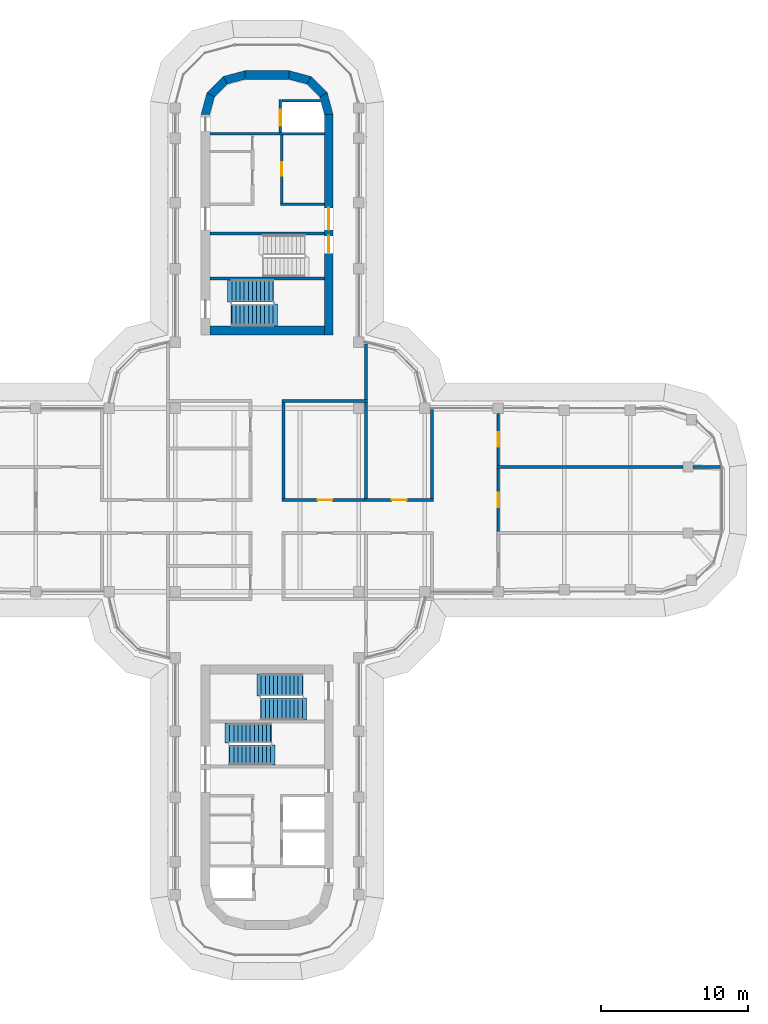
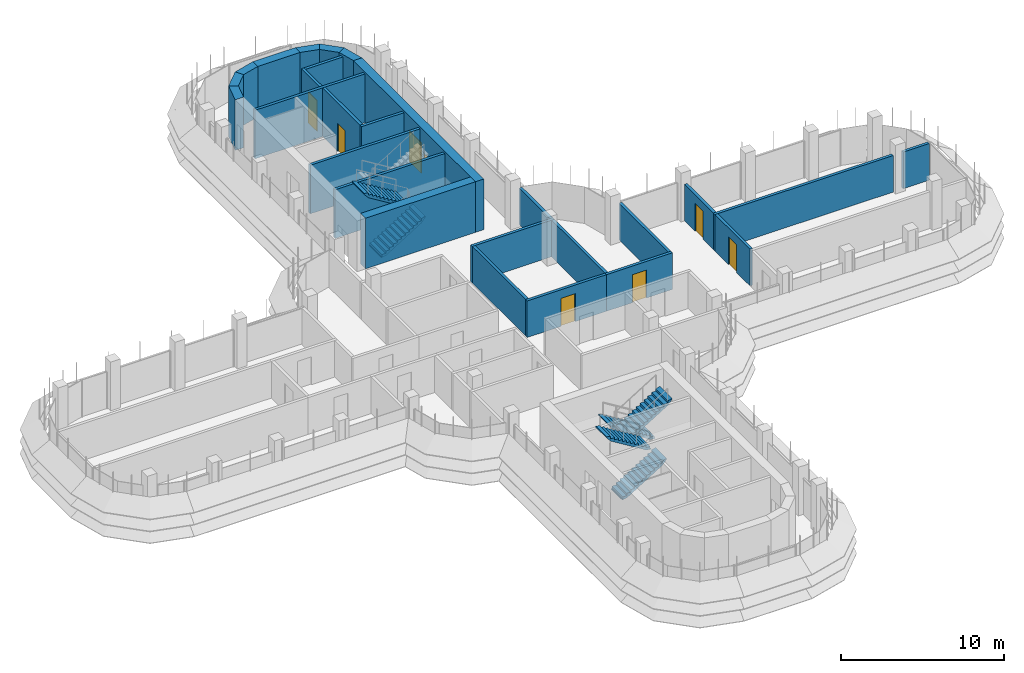
# One storey, part 15 of 19: 27 walls, 8 doors, 6 stair flights, 8 openings, 3 elements without a shape of their own.
"""IFC4 building model written with IfcOpenShell, lengths in metres."""

import ifcopenshell
import ifcopenshell.guid

model = None  # the IFC model being written
_history = None  # IfcOwnerHistory: only IFC2X3 demands one
_inside = {}  # id of a spatial element -> (the spatial element, [elements in it])
_under = {}  # id of a project, library or spatial element -> (it, [spatial elements below it])
_declared = {}  # id of a project -> (the project, [libraries it declares])
_typed = {}  # id of a type object -> (the type object, [elements of that type])
_made_of = {}  # id of a material, layer set ... -> (it, [elements and type objects made of it])


def new_model(schema):
    """Start an empty IFC model of exactly this schema.

    Asked for "IFC4X3", IfcOpenShell would pick the latest addendum, in which some entities
    have other attributes; the version numbers below select the first issue.
    IFC2X3 requires an IfcOwnerHistory on every rooted entity: one is made here for all.
    """
    global model, _history
    if schema == "IFC4X3":
        model = ifcopenshell.file(schema_version=(4, 3, 0, 0))
    else:
        model = ifcopenshell.file(schema=schema)
    _inside.clear()
    _under.clear()
    _declared.clear()
    _typed.clear()
    _made_of.clear()
    _history = None
    if model.schema == "IFC2X3":
        org = make("IfcOrganization", Name="unknown")
        user = make(
            "IfcPersonAndOrganization",
            ThePerson=make("IfcPerson", FamilyName="unknown"),
            TheOrganization=org,
        )
        app = make(
            "IfcApplication",
            ApplicationDeveloper=org,
            Version="unknown",
            ApplicationFullName="unknown",
            ApplicationIdentifier="unknown",
        )
        _history = make(
            "IfcOwnerHistory",
            OwningUser=user,
            OwningApplication=app,
            ChangeAction="ADDED",
            CreationDate=0,
        )
    return model


def make(cls, **values):
    """One entity of the class cls with the attributes given. An attribute that is None is left unset."""
    return model.create_entity(
        cls, **{name: value for name, value in values.items() if value is not None}
    )


def rooted(cls, **values):
    """An entity with a GlobalId (a new one), such as an element, a storey or a relation."""
    return make(cls, GlobalId=ifcopenshell.guid.new(), OwnerHistory=_history, **values)


def si_unit(unit_type, name, prefix=None):
    """IfcSIUnit, for example si_unit("LENGTHUNIT", "METRE", prefix="MILLI")."""
    return make("IfcSIUnit", UnitType=unit_type, Prefix=prefix, Name=name)


def assignment(units):
    """IfcUnitAssignment: the units of a project."""
    return None if units is None else make("IfcUnitAssignment", Units=units)


def point(xyz):
    """IfcCartesianPoint."""
    return None if xyz is None else make("IfcCartesianPoint", Coordinates=xyz)


def direction(xyz):
    """IfcDirection."""
    return None if xyz is None else make("IfcDirection", DirectionRatios=xyz)


def frame(location, z_axis=None, x_axis=None):
    """IfcAxis2Placement3D, a coordinate frame: its origin and axes. An axis left out is left unset."""
    return make(
        "IfcAxis2Placement3D",
        Location=point(location),
        Axis=direction(z_axis),
        RefDirection=direction(x_axis),
    )


def frame_2d(location, x_axis=None):
    """IfcAxis2Placement2D, a coordinate frame in the plane: its origin and x axis."""
    return make(
        "IfcAxis2Placement2D", Location=point(location), RefDirection=direction(x_axis)
    )


def origin():
    """The frame at (0, 0, 0) with its axes left unset."""
    return frame((0.0, 0.0, 0.0))


def place(relative_to, where):
    """IfcLocalPlacement: puts the frame where relative to a parent placement (None: the world)."""
    return make(
        "IfcLocalPlacement", PlacementRelTo=relative_to, RelativePlacement=where
    )


def context(
    kind, dimensions, precision=None, world=None, true_north=None, identifier=None
):
    """IfcGeometricRepresentationContext, for example the 3D "Model" context."""
    return make(
        "IfcGeometricRepresentationContext",
        ContextIdentifier=identifier,
        ContextType=kind,
        CoordinateSpaceDimension=dimensions,
        Precision=precision,
        WorldCoordinateSystem=world,
        TrueNorth=true_north,
    )


def subcontext(parent, identifier, kind, view, scale=None):
    """IfcGeometricRepresentationSubContext, for example "Body" below "Model"."""
    return make(
        "IfcGeometricRepresentationSubContext",
        ContextIdentifier=identifier,
        ContextType=kind,
        ParentContext=parent,
        TargetScale=scale,
        TargetView=view,
    )


def project(units=None, contexts=None):
    """IfcProject with its units and contexts."""
    return rooted(
        "IfcProject",
        Name="project",
        RepresentationContexts=contexts,
        UnitsInContext=assignment(units),
    )


def spatial(cls, under=None, at=None, **own):
    """A site, building, storey or space (cls), placed at a placement, below another one or the project."""
    s = rooted(cls, ObjectPlacement=at, **own)
    if under is not None:
        _under.setdefault(under.id(), (under, []))[1].append(s)
    return s


def polyline(points):
    """IfcPolyline through the points."""
    return make("IfcPolyline", Points=[point(p) for p in points])


def profile(cls, at=None, kind="AREA", **sizes):
    """A parametric profile (cls). Its sizes go by their IFC names, for example OverallWidth=200.0."""
    return make(cls, ProfileType=kind, Position=at, **sizes)


def rectangle(**sizes):
    """IfcRectangleProfileDef."""
    return profile("IfcRectangleProfileDef", **sizes)


def outline(outer, holes=None, kind="AREA"):
    """IfcArbitraryClosedProfileDef: a profile drawn as a closed curve; with holes, ...WithVoids."""
    if holes is None:
        return make("IfcArbitraryClosedProfileDef", ProfileType=kind, OuterCurve=outer)
    return make(
        "IfcArbitraryProfileDefWithVoids",
        ProfileType=kind,
        OuterCurve=outer,
        InnerCurves=holes,
    )


def extrude(swept, where, along, depth):
    """IfcExtrudedAreaSolid: the profile swept, set in the frame where, extruded along a direction by depth."""
    return make(
        "IfcExtrudedAreaSolid",
        SweptArea=swept,
        Position=where,
        ExtrudedDirection=direction(along),
        Depth=depth,
    )


def shape(context_of_items, identifier, shape_type, items):
    """IfcShapeRepresentation: the items that make up one representation, for example the "Body"."""
    return make(
        "IfcShapeRepresentation",
        ContextOfItems=context_of_items,
        RepresentationIdentifier=identifier,
        RepresentationType=shape_type,
        Items=items,
    )


def material(Name=None, Category=None):
    """IfcMaterial."""
    return make("IfcMaterial", Name=Name, Category=Category)


def layer(
    of_material, thickness, ventilated=None, Name=None, Category=None, Priority=None
):
    """IfcMaterialLayer: one layer of a wall or slab, of a material (None: an air gap)."""
    return make(
        "IfcMaterialLayer",
        Material=of_material,
        LayerThickness=thickness,
        IsVentilated=ventilated,
        Name=Name,
        Category=Category,
        Priority=Priority,
    )


def layer_set(layers, Name=None):
    """IfcMaterialLayerSet."""
    return make("IfcMaterialLayerSet", MaterialLayers=layers, LayerSetName=Name)


def made_of(thing, what):
    """Note that an element or type object is made of a material, layer set ...; save() writes the relation."""
    if what is not None:
        _made_of.setdefault(what.id(), (what, []))[1].append(thing)
    return thing


def type_object(cls, material=None, **own):
    """A type object (cls), such as IfcWallType, which elements share."""
    return made_of(rooted(cls, **own), material)


def element(
    cls,
    number,
    at=None,
    inside=None,
    cuts=None,
    type_object=None,
    material=None,
    context=None,
    identifier="Body",
    shape_type=None,
    held_by="IfcProductDefinitionShape",
    body=None,
    shapes=None,
    **own,
):
    """One element of the class cls, such as IfcWall. Its Tag is "e" and its number.

    at: its placement. inside: the storey or other place that contains it. cuts: it is an
    opening in that element (IfcRelVoidsElement). A single representation is given by context,
    identifier, shape_type and body (its items); several are given by shapes. held_by: the class
    of the entity that holds the representations. save() writes the other relations.
    """
    e = rooted(cls, Tag="e%d" % number, ObjectPlacement=at, **own)
    if body is not None:
        shapes = [shape(context, identifier, shape_type, body)]
    if shapes is not None:
        e.Representation = make(held_by, Representations=shapes)
    if inside is not None:
        _inside.setdefault(inside.id(), (inside, []))[1].append(e)
    if cuts is not None:
        rooted(
            "IfcRelVoidsElement", RelatingBuildingElement=cuts, RelatedOpeningElement=e
        )
    if type_object is not None:
        _typed.setdefault(type_object.id(), (type_object, []))[1].append(e)
    return made_of(e, material)


def fill(opening, filler):
    """IfcRelFillsElement: the door or window that sits in an opening."""
    return rooted(
        "IfcRelFillsElement",
        RelatingOpeningElement=opening,
        RelatedBuildingElement=filler,
    )


def aggregate(whole, parts):
    """IfcRelAggregates: a whole, such as a stair, and the parts it consists of."""
    return rooted("IfcRelAggregates", RelatingObject=whole, RelatedObjects=parts)


def save(model, path):
    """Write the relations noted so far, then the file.

    IfcRelAggregates (storeys below a building ...), IfcRelContainedInSpatialStructure (elements
    in a storey), IfcRelDefinesByType, IfcRelAssociatesMaterial and IfcRelDeclares: one each for
    every whole, place, type object, material and project.
    """
    for whole, parts in _under.values():
        aggregate(whole, parts)
    for where, things in _inside.values():
        rooted(
            "IfcRelContainedInSpatialStructure",
            RelatedElements=things,
            RelatingStructure=where,
        )
    for kind, things in _typed.values():
        rooted("IfcRelDefinesByType", RelatedObjects=things, RelatingType=kind)
    for what, things in _made_of.values():
        rooted("IfcRelAssociatesMaterial", RelatedObjects=things, RelatingMaterial=what)
    for by, libraries in _declared.values():
        rooted("IfcRelDeclares", RelatingContext=by, RelatedDefinitions=libraries)
    model.write(path)


model = new_model("IFC4")

# Units and contexts
model_context = context("Model", 3, precision=1e-05, world=origin(), true_north=direction((0.0, 1.0)))
body_context = subcontext(model_context, "Body", "Model", "MODEL_VIEW")
ifc_project = project(units=[si_unit("LENGTHUNIT", "METRE"), si_unit("AREAUNIT", "SQUARE_METRE"), si_unit("VOLUMEUNIT", "CUBIC_METRE"), si_unit("PLANEANGLEUNIT", "RADIAN"), si_unit("MASSUNIT", "GRAM", prefix="KILO")], contexts=[model_context])

# Site, building, storey
site_placement = place(None, origin())
site = spatial("IfcSite", under=ifc_project, at=site_placement, CompositionType="ELEMENT")
building_placement = place(site_placement, origin())
building = spatial("IfcBuilding", under=site, at=building_placement, Name="Zarbagh Exchange Tower", CompositionType="ELEMENT")
storey_placement = place(building_placement, frame((0.0, 0.0, 199.199951171875)))
storey = spatial("IfcBuildingStorey", under=building, at=storey_placement, Name="L48", CompositionType="ELEMENT", Elevation=199.199951171875)

# Wall, opening, door
ifc_material_1 = material(Name="Fire-rated plasterboard partition")
ifc_layer_1 = layer(ifc_material_1, 0.199951171875)
ifc_layer_set_1 = layer_set([ifc_layer_1], Name="RATED PARTITION 200")
wall_type_1 = type_object("IfcWallType", Name="RATED PARTITION 200", PredefinedType="PARTITIONING", material=ifc_layer_set_1)
wall_1_placement = place(storey_placement, frame((1.02490234375, 0.0, 0.0), z_axis=(0.0, 0.0, 1.0), x_axis=(1.0, 0.0, 0.0)))
wall_1 = element("IfcWall", 1, at=wall_1_placement, inside=storey, type_object=wall_type_1, Name="Partition W-2101", PredefinedType="PARTITIONING", context=body_context, shape_type="SweptSolid", body=[
    extrude(rectangle(XDim=5.8251953125, YDim=0.199951171875, at=frame_2d((2.91259765625, 0.0))), origin(), (0.0, 0.0, 1.0), 2.75),
])
opening_1_placement = place(wall_1_placement, frame((2.41259765625, 0.0, 0.0)))
opening_1 = element("IfcOpeningElement", 2, at=opening_1_placement, cuts=wall_1, Name="Opening D-2104", PredefinedType="OPENING", context=body_context, shape_type="SweptSolid", body=[
    extrude(rectangle(XDim=1.0, YDim=2.10009765625, at=frame_2d((0.5, 1.050048828125))), frame((0.0, 0.10986328125, 0.0), z_axis=(0.0, -1.0, 0.0), x_axis=(1.0, 0.0, 0.0)), (0.0, 0.0, 1.0), 0.219970703125),
])
ifc_material_2 = material(Name="Steel door set", Category="steel")
door_type_1 = type_object("IfcDoorType", Name="FIRE DOOR 1000 X 2100 FD30S", OperationType="NOTDEFINED", PredefinedType="DOOR", material=ifc_material_2)
door_1_placement = place(opening_1_placement, origin())
door_1 = element("IfcDoor", 3, at=door_1_placement, inside=storey, type_object=door_type_1, Name="Door D-2104", OperationType="SINGLE_SWING_RIGHT", OverallHeight=2.10009765625, OverallWidth=1.0, PredefinedType="DOOR", context=body_context, shape_type="SweptSolid", body=[
    extrude(rectangle(XDim=1.0, YDim=2.10009765625, at=frame_2d((0.5, 1.050048828125))), frame((0.0, 0.02490234375, 0.0), z_axis=(0.0, -1.0, 0.0), x_axis=(1.0, 0.0, 0.0)), (0.0, 0.0, 1.0), 0.050048828125),
])
fill(opening_1, door_1)

wall_2_placement = place(storey_placement, frame((6.64990234375, 0.0, 0.0), z_axis=(0.0, 0.0, 1.0), x_axis=(1.0, 0.0, 0.0)))
wall_2 = element("IfcWall", 4, at=wall_2_placement, inside=storey, type_object=wall_type_1, Name="Partition W-2102", PredefinedType="PARTITIONING", context=body_context, shape_type="SweptSolid", body=[
    extrude(rectangle(XDim=4.7001953125, YDim=0.199951171875, at=frame_2d((2.35009765625, 0.0))), origin(), (0.0, 0.0, 1.0), 2.75),
])
opening_2_placement = place(wall_2_placement, frame((1.85009765625, 0.0, 0.0)))
opening_2 = element("IfcOpeningElement", 5, at=opening_2_placement, cuts=wall_2, Name="Opening D-2105", PredefinedType="OPENING", context=body_context, shape_type="SweptSolid", body=[
    extrude(rectangle(XDim=1.0, YDim=2.10009765625, at=frame_2d((0.5, 1.050048828125))), frame((0.0, 0.10986328125, 0.0), z_axis=(0.0, -1.0, 0.0), x_axis=(1.0, 0.0, 0.0)), (0.0, 0.0, 1.0), 0.219970703125),
])
door_2_placement = place(opening_2_placement, origin())
door_2 = element("IfcDoor", 6, at=door_2_placement, inside=storey, type_object=door_type_1, Name="Door D-2105", OperationType="SINGLE_SWING_RIGHT", OverallHeight=2.10009765625, OverallWidth=1.0, PredefinedType="DOOR", context=body_context, shape_type="SweptSolid", body=[
    extrude(rectangle(XDim=1.0, YDim=2.10009765625, at=frame_2d((0.5, 1.050048828125))), frame((0.0, 0.02490234375, 0.0), z_axis=(0.0, -1.0, 0.0), x_axis=(1.0, 0.0, 0.0)), (0.0, 0.0, 1.0), 0.050048828125),
])
fill(opening_2, door_2)

# Walls
wall_3_placement = place(storey_placement, frame((1.125, 0.10009765625, 0.0), z_axis=(0.0, 0.0, 1.0), x_axis=(0.0, 1.0, 0.0)))
element("IfcWall", 7, at=wall_3_placement, inside=storey, type_object=wall_type_1, Name="Partition W-2109", PredefinedType="PARTITIONING", context=body_context, shape_type="SweptSolid", body=[
    extrude(rectangle(XDim=6.5498046875, YDim=0.199951171875, at=frame_2d((3.27490234375, 0.0))), origin(), (0.0, 0.0, 1.0), 2.75),
])
wall_4_placement = place(storey_placement, frame((1.02490234375, 6.75, 0.0), z_axis=(0.0, 0.0, 1.0), x_axis=(1.0, 0.0, 0.0)))
element("IfcWall", 8, at=wall_4_placement, inside=storey, type_object=wall_type_1, Name="Partition W-2115", PredefinedType="PARTITIONING", context=body_context, shape_type="SweptSolid", body=[
    extrude(rectangle(XDim=5.8251953125, YDim=0.199951171875, at=frame_2d((2.91259765625, 0.0))), origin(), (0.0, 0.0, 1.0), 2.75),
])
wall_5_placement = place(storey_placement, frame((6.75, 6.85009765625, 0.0), z_axis=(0.0, 0.0, 1.0), x_axis=(0.0, 1.0, 0.0)))
element("IfcWall", 9, at=wall_5_placement, inside=storey, type_object=wall_type_1, Name="Partition W-2116", PredefinedType="PARTITIONING", context=body_context, shape_type="SweptSolid", body=[
    extrude(rectangle(XDim=3.77978515625, YDim=0.199951171875, at=frame_2d((1.889892578125, 0.0))), origin(), (0.0, 0.0, 1.0), 2.75),
])
wall_6_placement = place(storey_placement, frame((6.75, 0.10009765625, 0.0), z_axis=(0.0, 0.0, 1.0), x_axis=(0.0, 1.0, 0.0)))
element("IfcWall", 10, at=wall_6_placement, inside=storey, type_object=wall_type_1, Name="Partition W-2123", PredefinedType="PARTITIONING", context=body_context, shape_type="SweptSolid", body=[
    extrude(rectangle(XDim=6.5498046875, YDim=0.199951171875, at=frame_2d((3.27490234375, 0.0))), origin(), (0.0, 0.0, 1.0), 2.75),
])
wall_7_placement = place(storey_placement, frame((11.25, 0.10009765625, 0.0), z_axis=(0.0, 0.0, 1.0), x_axis=(0.0, 1.0, 0.0)))
element("IfcWall", 11, at=wall_7_placement, inside=storey, type_object=wall_type_1, Name="Partition W-2124", PredefinedType="PARTITIONING", context=body_context, shape_type="SweptSolid", body=[
    extrude(rectangle(XDim=6.06982421875, YDim=0.199951171875, at=frame_2d((3.034912109375, 0.0))), origin(), (0.0, 0.0, 1.0), 2.75),
])

# Wall, opening, door
wall_8_placement = place(storey_placement, frame((15.75, 2.14990234375, 0.0), z_axis=(0.0, 0.0, 1.0), x_axis=(0.0, -1.0, 0.0)))
wall_8 = element("IfcWall", 12, at=wall_8_placement, inside=storey, type_object=wall_type_1, Name="Partition W-2138", PredefinedType="PARTITIONING", context=body_context, shape_type="SweptSolid", body=[
    extrude(rectangle(XDim=4.2998046875, YDim=0.199951171875, at=frame_2d((2.14990234375, 0.0))), origin(), (0.0, 0.0, 1.0), 2.75),
])
opening_3_placement = place(wall_8_placement, frame((1.64990234375, 0.0, 0.0)))
opening_3 = element("IfcOpeningElement", 13, at=opening_3_placement, cuts=wall_8, Name="Opening D-2102", PredefinedType="OPENING", context=body_context, shape_type="SweptSolid", body=[
    extrude(rectangle(XDim=1.0, YDim=2.10009765625, at=frame_2d((0.5, 1.050048828125))), frame((0.0, 0.10986328125, 0.0), z_axis=(0.0, -1.0, 0.0), x_axis=(1.0, 0.0, 0.0)), (0.0, 0.0, 1.0), 0.219970703125),
])
door_3_placement = place(opening_3_placement, origin())
door_3 = element("IfcDoor", 14, at=door_3_placement, inside=storey, type_object=door_type_1, Name="Door D-2102", OperationType="SINGLE_SWING_RIGHT", OverallHeight=2.10009765625, OverallWidth=1.0, PredefinedType="DOOR", context=body_context, shape_type="SweptSolid", body=[
    extrude(rectangle(XDim=1.0, YDim=2.10009765625, at=frame_2d((0.5, 1.050048828125))), frame((0.0, 0.02490234375, 0.0), z_axis=(0.0, -1.0, 0.0), x_axis=(1.0, 0.0, 0.0)), (0.0, 0.0, 1.0), 0.050048828125),
])
fill(opening_3, door_3)

wall_9_placement = place(storey_placement, frame((15.75, 5.89990234375, 0.0), z_axis=(0.0, 0.0, 1.0), x_axis=(0.0, -1.0, 0.0)))
wall_9 = element("IfcWall", 15, at=wall_9_placement, inside=storey, type_object=wall_type_1, Name="Partition W-2139", PredefinedType="PARTITIONING", context=body_context, shape_type="SweptSolid", body=[
    extrude(rectangle(XDim=3.5498046875, YDim=0.199951171875, at=frame_2d((1.77490234375, 0.0))), origin(), (0.0, 0.0, 1.0), 2.75),
])
opening_4_placement = place(wall_9_placement, frame((1.27490234375, 0.0, 0.0)))
opening_4 = element("IfcOpeningElement", 16, at=opening_4_placement, cuts=wall_9, Name="Opening D-2103", PredefinedType="OPENING", context=body_context, shape_type="SweptSolid", body=[
    extrude(rectangle(XDim=1.0, YDim=2.10009765625, at=frame_2d((0.5, 1.050048828125))), frame((0.0, 0.10986328125, 0.0), z_axis=(0.0, -1.0, 0.0), x_axis=(1.0, 0.0, 0.0)), (0.0, 0.0, 1.0), 0.219970703125),
])
door_4_placement = place(opening_4_placement, origin())
door_4 = element("IfcDoor", 17, at=door_4_placement, inside=storey, type_object=door_type_1, Name="Door D-2103", OperationType="SINGLE_SWING_RIGHT", OverallHeight=2.10009765625, OverallWidth=1.0, PredefinedType="DOOR", context=body_context, shape_type="SweptSolid", body=[
    extrude(rectangle(XDim=1.0, YDim=2.10009765625, at=frame_2d((0.5, 1.050048828125))), frame((0.0, 0.02490234375, 0.0), z_axis=(0.0, -1.0, 0.0), x_axis=(1.0, 0.0, 0.0)), (0.0, 0.0, 1.0), 0.050048828125),
])
fill(opening_4, door_4)

# Walls
wall_10_placement = place(storey_placement, frame((15.64990234375, 2.25, 0.0), z_axis=(0.0, 0.0, 1.0), x_axis=(1.0, 0.0, 0.0)))
element("IfcWall", 18, at=wall_10_placement, inside=storey, type_object=wall_type_1, Name="Partition W-2142", PredefinedType="PARTITIONING", context=body_context, shape_type="SweptSolid", body=[
    extrude(rectangle(XDim=12.670166015625, YDim=0.199951171875, at=frame_2d((6.3349609375, 0.0))), origin(), (0.0, 0.0, 1.0), 2.75),
])
wall_11_placement = place(storey_placement, frame((29.02001953125, 2.25, 0.0), z_axis=(0.0, 0.0, 1.0), x_axis=(1.0, 0.0, 0.0)))
element("IfcWall", 19, at=wall_11_placement, inside=storey, type_object=wall_type_1, Name="Partition W-2143", PredefinedType="PARTITIONING", context=body_context, shape_type="SweptSolid", body=[
    extrude(rectangle(XDim=1.85986328125, YDim=0.199951171875, at=frame_2d((0.929931640625, 0.0))), origin(), (0.0, 0.0, 1.0), 2.75),
])
ifc_material_3 = material(Name="Concrete C50/60", Category="concrete")
ifc_layer_2 = layer(ifc_material_3, 0.60009765625)
ifc_layer_set_2 = layer_set([ifc_layer_2], Name="RC core corner wall 600 C50/60")
wall_type_2 = type_object("IfcWallType", Name="RC core corner wall 600 C50/60", PredefinedType="SHEAR", material=ifc_layer_set_2)
wall_12_placement = place(storey_placement, origin())
element("IfcWall", 20, at=wall_12_placement, inside=storey, type_object=wall_type_2, Name="CW8 core N corner W", PredefinedType="SHEAR", context=body_context, shape_type="SweptSolid", body=[
    extrude(outline(polyline([(-4.5, 26.25), (-4.09814453125, 27.75), (-3.57861328125, 27.449951171875), (-3.89990234375, 26.25), (-4.5, 26.25)])), origin(), (0.0, 0.0, 1.0), 3.800048828125),
])
wall_13_placement = place(storey_placement, origin())
element("IfcWall", 21, at=wall_13_placement, inside=storey, type_object=wall_type_2, Name="CW8 core N corner W", PredefinedType="SHEAR", context=body_context, shape_type="SweptSolid", body=[
    extrude(outline(polyline([(-4.09814453125, 27.75), (-3.0, 28.84814453125), (-2.699951171875, 28.32861328125), (-3.57861328125, 27.449951171875), (-4.09814453125, 27.75)])), origin(), (0.0, 0.0, 1.0), 3.800048828125),
])
wall_14_placement = place(storey_placement, origin())
element("IfcWall", 22, at=wall_14_placement, inside=storey, type_object=wall_type_2, Name="CW8 core N corner W", PredefinedType="SHEAR", context=body_context, shape_type="SweptSolid", body=[
    extrude(outline(polyline([(-3.0, 28.84814453125), (-1.5, 29.25), (-1.5, 28.64990234375), (-2.699951171875, 28.32861328125), (-3.0, 28.84814453125)])), origin(), (0.0, 0.0, 1.0), 3.800048828125),
])
wall_15_placement = place(storey_placement, origin())
element("IfcWall", 23, at=wall_15_placement, inside=storey, type_object=wall_type_2, Name="CW8 core N corner E", PredefinedType="SHEAR", context=body_context, shape_type="SweptSolid", body=[
    extrude(outline(polyline([(4.5, 26.25), (4.09814453125, 27.75), (3.57861328125, 27.449951171875), (3.89990234375, 26.25), (4.5, 26.25)])), origin(), (0.0, 0.0, 1.0), 3.800048828125),
])
wall_16_placement = place(storey_placement, origin())
element("IfcWall", 24, at=wall_16_placement, inside=storey, type_object=wall_type_2, Name="CW8 core N corner E", PredefinedType="SHEAR", context=body_context, shape_type="SweptSolid", body=[
    extrude(outline(polyline([(4.09814453125, 27.75), (3.0, 28.84814453125), (2.699951171875, 28.32861328125), (3.57861328125, 27.449951171875), (4.09814453125, 27.75)])), origin(), (0.0, 0.0, 1.0), 3.800048828125),
])
wall_17_placement = place(storey_placement, origin())
element("IfcWall", 25, at=wall_17_placement, inside=storey, type_object=wall_type_2, Name="CW8 core N corner E", PredefinedType="SHEAR", context=body_context, shape_type="SweptSolid", body=[
    extrude(outline(polyline([(3.0, 28.84814453125), (1.5, 29.25), (1.5, 28.64990234375), (2.699951171875, 28.32861328125), (3.0, 28.84814453125)])), origin(), (0.0, 0.0, 1.0), 3.800048828125),
])

# Wall, openings, doors
ifc_layer_3 = layer(ifc_material_3, 0.60009765625)
ifc_layer_set_3 = layer_set([ifc_layer_3], Name="RC core wall 600 C50/60")
wall_type_3 = type_object("IfcWallType", Name="RC core wall 600 C50/60", PredefinedType="SHEAR", material=ifc_layer_set_3)
wall_18_placement = place(storey_placement, frame((4.199951171875, 11.25, 0.0), z_axis=(0.0, 0.0, 1.0), x_axis=(0.0, 1.0, 0.0)))
wall_18 = element("IfcWall", 26, at=wall_18_placement, inside=storey, type_object=wall_type_3, Name="CW7 core N E", PredefinedType="SHEAR", context=body_context, shape_type="SweptSolid", body=[
    extrude(rectangle(XDim=15.0, YDim=0.60009765625, at=frame_2d((7.5, 0.0))), origin(), (0.0, 0.0, 1.0), 3.800048828125),
])
opening_5_placement = place(wall_18_placement, frame((7.14990234375, 0.0, 0.0)))
opening_5 = element("IfcOpeningElement", 27, at=opening_5_placement, cuts=wall_18, Name="Opening CD1-1500", PredefinedType="OPENING", context=body_context, shape_type="SweptSolid", body=[
    extrude(rectangle(XDim=1.5, YDim=2.300048828125, at=frame_2d((0.75, 1.14990234375))), frame((0.0, 0.31005859375, 0.0), z_axis=(0.0, -1.0, 0.0), x_axis=(1.0, 0.0, 0.0)), (0.0, 0.0, 1.0), 0.6201171875),
])
opening_6_placement = place(wall_18_placement, frame((5.550048828125, 0.0, 0.0)))
opening_6 = element("IfcOpeningElement", 28, at=opening_6_placement, cuts=wall_18, Name="Opening SD1-1200", PredefinedType="OPENING", context=body_context, shape_type="SweptSolid", body=[
    extrude(rectangle(XDim=1.199951171875, YDim=2.10009765625, at=frame_2d((0.60009765625, 1.050048828125))), frame((0.0, 0.31005859375, 0.0), z_axis=(0.0, -1.0, 0.0), x_axis=(1.0, 0.0, 0.0)), (0.0, 0.0, 1.0), 0.6201171875),
])
ifc_material_4 = material(Name="Steel", Category="steel")
door_type_2 = type_object("IfcDoorType", Name="Exit stair door 1200 x 2100", OperationType="NOTDEFINED", PredefinedType="DOOR", material=ifc_material_4)
door_5_placement = place(opening_6_placement, origin())
door_5 = element("IfcDoor", 29, at=door_5_placement, inside=storey, type_object=door_type_2, Name="North core stair door ST1", OperationType="SINGLE_SWING_LEFT", OverallHeight=2.10009765625, OverallWidth=1.199951171875, PredefinedType="DOOR", context=body_context, shape_type="SweptSolid", body=[
    extrude(rectangle(XDim=1.199951171875, YDim=2.10009765625, at=frame_2d((0.60009765625, 1.050048828125))), frame((0.0, 0.02490234375, 0.0), z_axis=(0.0, -1.0, 0.0), x_axis=(1.0, 0.0, 0.0)), (0.0, 0.0, 1.0), 0.050048828125),
])
fill(opening_6, door_5)
door_type_3 = type_object("IfcDoorType", Name="Lift lobby double door 1500 x 2300", OperationType="NOTDEFINED", PredefinedType="DOOR", material=ifc_material_4)
door_6_placement = place(opening_5_placement, origin())
door_6 = element("IfcDoor", 30, at=door_6_placement, inside=storey, type_object=door_type_3, Name="North core lift lobby door LOBBY-E", OperationType="DOUBLE_DOOR_SINGLE_SWING", OverallHeight=2.300048828125, OverallWidth=1.5, PredefinedType="DOOR", context=body_context, shape_type="SweptSolid", body=[
    extrude(rectangle(XDim=1.5, YDim=2.300048828125, at=frame_2d((0.75, 1.14990234375))), frame((0.0, 0.02490234375, 0.0), z_axis=(0.0, -1.0, 0.0), x_axis=(1.0, 0.0, 0.0)), (0.0, 0.0, 1.0), 0.050048828125),
])
fill(opening_5, door_6)

# Walls
wall_19_placement = place(storey_placement, frame((-3.89990234375, 11.550048828125, 0.0), z_axis=(0.0, 0.0, 1.0), x_axis=(1.0, 0.0, 0.0)))
element("IfcWall", 31, at=wall_19_placement, inside=storey, type_object=wall_type_3, Name="CW7 core N inner end", PredefinedType="SHEAR", context=body_context, shape_type="SweptSolid", body=[
    extrude(rectangle(XDim=7.7998046875, YDim=0.60009765625, at=frame_2d((3.89990234375, 0.0))), origin(), (0.0, 0.0, 1.0), 3.800048828125),
])
wall_20_placement = place(storey_placement, frame((-1.5, 28.949951171875, 0.0), z_axis=(0.0, 0.0, 1.0), x_axis=(1.0, 0.0, 0.0)))
element("IfcWall", 32, at=wall_20_placement, inside=storey, type_object=wall_type_3, Name="CW7 core N outer end", PredefinedType="SHEAR", context=body_context, shape_type="SweptSolid", body=[
    extrude(rectangle(XDim=3.0, YDim=0.60009765625, at=frame_2d((1.5, 0.0))), origin(), (0.0, 0.0, 1.0), 3.800048828125),
])
ifc_material_5 = material(Name="Dense blockwork", Category="masonry")
ifc_layer_4 = layer(ifc_material_5, 0.199951171875)
ifc_layer_set_4 = layer_set([ifc_layer_4], Name="Shaft wall 200 mm blockwork")
wall_type_4 = type_object("IfcWallType", Name="Shaft wall 200 mm blockwork", PredefinedType="PARTITIONING", material=ifc_layer_set_4)
wall_21_placement = place(storey_placement, frame((0.89990234375, 20.14990234375, 0.0), z_axis=(0.0, 0.0, 1.0), x_axis=(1.0, 0.0, 0.0)))
element("IfcWall", 33, at=wall_21_placement, inside=storey, type_object=wall_type_4, Name="North core shaft wall AB-E", PredefinedType="PARTITIONING", context=body_context, shape_type="SweptSolid", body=[
    extrude(rectangle(XDim=3.0, YDim=0.199951171875, at=frame_2d((1.5, 0.0))), origin(), (0.0, 0.0, 1.0), 3.650146484375),
])

# Wall, opening, door
wall_22_placement = place(storey_placement, frame((1.0, 24.85009765625, 0.0), z_axis=(0.0, 0.0, 1.0), x_axis=(0.0, -1.0, 0.0)))
wall_22 = element("IfcWall", 34, at=wall_22_placement, inside=storey, type_object=wall_type_4, Name="North core shaft wall LW-E", PredefinedType="PARTITIONING", context=body_context, shape_type="SweptSolid", body=[
    extrude(rectangle(XDim=4.60009765625, YDim=0.199951171875, at=frame_2d((2.300048828125, 0.0))), origin(), (0.0, 0.0, 1.0), 3.650146484375),
])
opening_7_placement = place(wall_22_placement, frame((1.85009765625, 0.0, 0.0)))
opening_7 = element("IfcOpeningElement", 35, at=opening_7_placement, cuts=wall_22, Name="Opening CD3-900", PredefinedType="OPENING", context=body_context, shape_type="SweptSolid", body=[
    extrude(rectangle(XDim=0.89990234375, YDim=2.10009765625, at=frame_2d((0.449951171875, 1.050048828125))), frame((0.0, 0.10986328125, 0.0), z_axis=(0.0, -1.0, 0.0), x_axis=(1.0, 0.0, 0.0)), (0.0, 0.0, 1.0), 0.219970703125),
])
door_type_4 = type_object("IfcDoorType", Name="Core room door 900 x 2100", OperationType="NOTDEFINED", PredefinedType="DOOR", material=ifc_material_4)
door_7_placement = place(opening_7_placement, origin())
door_7 = element("IfcDoor", 36, at=door_7_placement, inside=storey, type_object=door_type_4, Name="North core Riser store door RD-E-0", OperationType="SINGLE_SWING_RIGHT", OverallHeight=2.10009765625, OverallWidth=0.89990234375, PredefinedType="DOOR", context=body_context, shape_type="SweptSolid", body=[
    extrude(rectangle(XDim=0.89990234375, YDim=2.10009765625, at=frame_2d((0.449951171875, 1.050048828125))), frame((0.0, 0.02490234375, 0.0), z_axis=(0.0, -1.0, 0.0), x_axis=(1.0, 0.0, 0.0)), (0.0, 0.0, 1.0), 0.050048828125),
])
fill(opening_7, door_7)

# Wall
ifc_material_6 = material(Name="Concrete C40/50", Category="concrete")
ifc_layer_5 = layer(ifc_material_6, 0.199951171875)
ifc_layer_set_5 = layer_set([ifc_layer_5], Name="Stair enclosure wall 200 mm RC C40/50")
wall_type_5 = type_object("IfcWallType", Name="Stair enclosure wall 200 mm RC C40/50", PredefinedType="SHEAR", material=ifc_layer_set_5)
wall_23_placement = place(storey_placement, frame((-3.89990234375, 24.949951171875, 0.0), z_axis=(0.0, 0.0, 1.0), x_axis=(1.0, 0.0, 0.0)))
element("IfcWall", 37, at=wall_23_placement, inside=storey, type_object=wall_type_5, Name="North core lift shaft wall FFA", PredefinedType="SHEAR", context=body_context, shape_type="SweptSolid", body=[
    extrude(rectangle(XDim=7.7998046875, YDim=0.199951171875, at=frame_2d((3.89990234375, 0.0))), origin(), (0.0, 0.0, 1.0), 3.650146484375),
])

# Wall, opening, door
wall_24_placement = place(storey_placement, frame((0.89990234375, 27.300048828125, 0.0), z_axis=(0.0, 0.0, 1.0), x_axis=(0.0, -1.0, 0.0)))
wall_24 = element("IfcWall", 38, at=wall_24_placement, inside=storey, type_object=wall_type_5, Name="North core lift shaft wall FFL", PredefinedType="SHEAR", context=body_context, shape_type="SweptSolid", body=[
    extrude(rectangle(XDim=2.25, YDim=0.199951171875, at=frame_2d((1.125, 0.0))), origin(), (0.0, 0.0, 1.0), 3.650146484375),
])
opening_8_placement = place(wall_24_placement, frame((0.699951171875, 0.0, 0.0)))
opening_8 = element("IfcOpeningElement", 39, at=opening_8_placement, cuts=wall_24, Name="Opening LD-1100", PredefinedType="OPENING", context=body_context, shape_type="SweptSolid", body=[
    extrude(rectangle(XDim=1.10009765625, YDim=2.300048828125, at=frame_2d((0.550048828125, 1.14990234375))), frame((0.0, 0.10986328125, 0.0), z_axis=(0.0, -1.0, 0.0), x_axis=(1.0, 0.0, 0.0)), (0.0, 0.0, 1.0), 0.219970703125),
])
ifc_material_7 = material(Name="Stainless steel", Category="steel")
door_type_5 = type_object("IfcDoorType", Name="Lift landing door 1100 x 2300", OperationType="NOTDEFINED", PredefinedType="DOOR", material=ifc_material_7)
door_8_placement = place(opening_8_placement, origin())
door_8 = element("IfcDoor", 40, at=door_8_placement, inside=storey, type_object=door_type_5, Name="North core lift landing door LD-F", OperationType="DOUBLE_DOOR_SLIDING", OverallHeight=2.300048828125, OverallWidth=1.10009765625, PredefinedType="DOOR", context=body_context, shape_type="SweptSolid", body=[
    extrude(rectangle(XDim=1.10009765625, YDim=2.300048828125, at=frame_2d((0.550048828125, 1.14990234375))), frame((0.0, 0.02490234375, 0.0), z_axis=(0.0, -1.0, 0.0), x_axis=(1.0, 0.0, 0.0)), (0.0, 0.0, 1.0), 0.050048828125),
])
fill(opening_8, door_8)

# Walls
wall_25_placement = place(storey_placement, origin())
element("IfcWall", 41, at=wall_25_placement, inside=storey, type_object=wall_type_5, Name="North core lift shaft wall FFX", PredefinedType="SHEAR", context=body_context, shape_type="SweptSolid", body=[
    extrude(outline(polyline([(1.0, 27.10009765625), (3.651123046875, 27.10009765625), (3.597412109375, 27.300048828125), (1.0, 27.300048828125), (1.0, 27.10009765625)])), origin(), (0.0, 0.0, 1.0), 3.650146484375),
])
for number, where, z_axis, x_axis, name in (
    (42, (-3.89990234375, 18.14990234375, 0.0), (0.0, 0.0, 1.0), (1.0, 0.0, 0.0), "North core stair wall BS"),
    (43, (-3.89990234375, 15.10009765625, 0.0), (0.0, 0.0, 1.0), (1.0, 0.0, 0.0), "North core stair wall ST12"),
):
    element("IfcWall", number, at=place(storey_placement, frame(where, z_axis=z_axis, x_axis=x_axis)), inside=storey, type_object=wall_type_5, Name=name, PredefinedType="SHEAR", context=body_context, shape_type="SweptSolid", body=[
        extrude(rectangle(XDim=7.7998046875, YDim=0.199951171875, at=frame_2d((3.89990234375, 0.0))), origin(), (0.0, 0.0, 1.0), 3.650146484375),
    ])

# Stair, stair flights
stair_type = type_object("IfcStairType", Name="Exit stair two-flight half-turn", PredefinedType="HALF_TURN_STAIR", material=ifc_material_6)
stair_1_placement = place(storey_placement, origin())
stair_1 = element("IfcStair", 44, at=stair_1_placement, inside=storey, type_object=stair_type, Name="exit stair ST3", PredefinedType="HALF_TURN_STAIR")
stair_flight_type_1 = type_object("IfcStairFlightType", Name="Stair flight 1350 mm", PredefinedType="STRAIGHT", material=ifc_material_6)
stair_flight_1_placement = place(storey_placement, frame((-2.550048828125, -17.375, 0.0), z_axis=(0.0, 0.0, 1.0), x_axis=(1.0, 0.0, 0.0)))
stair_flight_1 = element("IfcStairFlight", 45, at=stair_flight_1_placement, type_object=stair_flight_type_1, Name="ST3 flight 1", NumberOfRisers=11, NumberOfTreads=10, PredefinedType="STRAIGHT", RiserHeight=0.172727273, TreadLength=0.28, context=body_context, shape_type="SweptSolid", body=[
    extrude(outline(polyline([(-0.050048828125, -0.050048828125), (-0.050048828125, 0.0), (0.0, 0.0), (0.0, 0.172607421875), (0.280029296875, 0.172607421875), (0.280029296875, 0.345458984375), (0.56005859375, 0.345458984375), (0.56005859375, 0.51806640625), (0.840087890625, 0.51806640625), (0.840087890625, 0.69091796875), (1.1201171875, 0.69091796875), (1.1201171875, 0.863525390625), (1.39990234375, 0.863525390625), (1.39990234375, 1.036376953125), (1.679931640625, 1.036376953125), (1.679931640625, 1.208984375), (1.9599609375, 1.208984375), (1.9599609375, 1.3818359375), (2.239990234375, 1.3818359375), (2.239990234375, 1.554443359375), (2.52001953125, 1.554443359375), (2.52001953125, 1.727294921875), (2.800048828125, 1.727294921875), (2.800048828125, 1.89990234375), (3.10009765625, 1.97998046875), (3.10009765625, 1.89990234375), (2.800048828125, 1.551025390625), (0.285400390625, 0.0), (-0.050048828125, -0.050048828125)])), frame((0.0, 0.675048828125, 0.0), z_axis=(0.0, -1.0, 0.0), x_axis=(1.0, 0.0, 0.0)), (0.0, 0.0, 1.0), 1.35009765625),
])
stair_flight_2_placement = place(storey_placement, frame((0.25, -15.875, 1.900146484375), z_axis=(0.0, 0.0, 1.0), x_axis=(-1.0, 0.0, 0.0)))
stair_flight_2 = element("IfcStairFlight", 46, at=stair_flight_2_placement, type_object=stair_flight_type_1, Name="ST3 flight 2", NumberOfRisers=11, NumberOfTreads=10, PredefinedType="STRAIGHT", RiserHeight=0.172727273, TreadLength=0.28, context=body_context, shape_type="SweptSolid", body=[
    extrude(outline(polyline([(-0.050048828125, -0.050048828125), (-0.050048828125, 0.0), (0.0, 0.0), (0.0, 0.172607421875), (0.280029296875, 0.172607421875), (0.280029296875, 0.345458984375), (0.56005859375, 0.345458984375), (0.56005859375, 0.51806640625), (0.840087890625, 0.51806640625), (0.840087890625, 0.69091796875), (1.1201171875, 0.69091796875), (1.1201171875, 0.863525390625), (1.39990234375, 0.863525390625), (1.39990234375, 1.036376953125), (1.679931640625, 1.036376953125), (1.679931640625, 1.208984375), (1.9599609375, 1.208984375), (1.9599609375, 1.3818359375), (2.239990234375, 1.3818359375), (2.239990234375, 1.554443359375), (2.52001953125, 1.554443359375), (2.52001953125, 1.727294921875), (2.800048828125, 1.727294921875), (2.800048828125, 1.89990234375), (3.10009765625, 1.97998046875), (3.10009765625, 1.89990234375), (2.800048828125, 1.551025390625), (0.285400390625, 0.0), (-0.050048828125, -0.050048828125)])), frame((0.0, 0.675048828125, 0.0), z_axis=(0.0, -1.0, 0.0), x_axis=(1.0, 0.0, 0.0)), (0.0, 0.0, 1.0), 1.35009765625),
])
aggregate(stair_1, [stair_flight_1, stair_flight_2])

stair_2_placement = place(storey_placement, origin())
stair_2 = element("IfcStair", 47, at=stair_2_placement, inside=storey, type_object=stair_type, Name="exit stair ST2", PredefinedType="HALF_TURN_STAIR")
stair_flight_type_2 = type_object("IfcStairFlightType", Name="Stair flight 1500 mm", PredefinedType="STRAIGHT", material=ifc_material_6)
stair_flight_3_placement = place(storey_placement, frame((-2.39990234375, 12.60009765625, 0.0), z_axis=(0.0, 0.0, 1.0), x_axis=(1.0, 0.0, 0.0)))
stair_flight_3 = element("IfcStairFlight", 48, at=stair_flight_3_placement, type_object=stair_flight_type_2, Name="ST2 flight 1", NumberOfRisers=11, NumberOfTreads=10, PredefinedType="STRAIGHT", RiserHeight=0.172727273, TreadLength=0.28, context=body_context, shape_type="SweptSolid", body=[
    extrude(outline(polyline([(-0.050048828125, -0.050048828125), (-0.050048828125, 0.0), (0.0, 0.0), (0.0, 0.172607421875), (0.280029296875, 0.172607421875), (0.280029296875, 0.345458984375), (0.56005859375, 0.345458984375), (0.56005859375, 0.51806640625), (0.840087890625, 0.51806640625), (0.840087890625, 0.69091796875), (1.1201171875, 0.69091796875), (1.1201171875, 0.863525390625), (1.39990234375, 0.863525390625), (1.39990234375, 1.036376953125), (1.679931640625, 1.036376953125), (1.679931640625, 1.208984375), (1.9599609375, 1.208984375), (1.9599609375, 1.3818359375), (2.239990234375, 1.3818359375), (2.239990234375, 1.554443359375), (2.52001953125, 1.554443359375), (2.52001953125, 1.727294921875), (2.800048828125, 1.727294921875), (2.800048828125, 1.89990234375), (3.10009765625, 1.97998046875), (3.10009765625, 1.89990234375), (2.800048828125, 1.551025390625), (0.285400390625, 0.0), (-0.050048828125, -0.050048828125)])), frame((0.0, 0.75, 0.0), z_axis=(0.0, -1.0, 0.0), x_axis=(1.0, 0.0, 0.0)), (0.0, 0.0, 1.0), 1.5),
])
stair_flight_4_placement = place(storey_placement, frame((0.39990234375, 14.25, 1.900146484375), z_axis=(0.0, 0.0, 1.0), x_axis=(-1.0, 0.0, 0.0)))
stair_flight_4 = element("IfcStairFlight", 49, at=stair_flight_4_placement, type_object=stair_flight_type_2, Name="ST2 flight 2", NumberOfRisers=11, NumberOfTreads=10, PredefinedType="STRAIGHT", RiserHeight=0.172727273, TreadLength=0.28, context=body_context, shape_type="SweptSolid", body=[
    extrude(outline(polyline([(-0.050048828125, -0.050048828125), (-0.050048828125, 0.0), (0.0, 0.0), (0.0, 0.172607421875), (0.280029296875, 0.172607421875), (0.280029296875, 0.345458984375), (0.56005859375, 0.345458984375), (0.56005859375, 0.51806640625), (0.840087890625, 0.51806640625), (0.840087890625, 0.69091796875), (1.1201171875, 0.69091796875), (1.1201171875, 0.863525390625), (1.39990234375, 0.863525390625), (1.39990234375, 1.036376953125), (1.679931640625, 1.036376953125), (1.679931640625, 1.208984375), (1.9599609375, 1.208984375), (1.9599609375, 1.3818359375), (2.239990234375, 1.3818359375), (2.239990234375, 1.554443359375), (2.52001953125, 1.554443359375), (2.52001953125, 1.727294921875), (2.800048828125, 1.727294921875), (2.800048828125, 1.89990234375), (3.10009765625, 1.97998046875), (3.10009765625, 1.89990234375), (2.800048828125, 1.551025390625), (0.285400390625, 0.0), (-0.050048828125, -0.050048828125)])), frame((0.0, 0.75, 0.0), z_axis=(0.0, -1.0, 0.0), x_axis=(1.0, 0.0, 0.0)), (0.0, 0.0, 1.0), 1.5),
])
aggregate(stair_2, [stair_flight_3, stair_flight_4])

stair_3_placement = place(storey_placement, origin())
stair_3 = element("IfcStair", 50, at=stair_3_placement, inside=storey, type_object=stair_type, Name="exit stair ST4", PredefinedType="HALF_TURN_STAIR")
stair_flight_5_placement = place(storey_placement, frame((2.39990234375, -12.60009765625, 0.0), z_axis=(0.0, 0.0, 1.0), x_axis=(-1.0, 0.0, 0.0)))
stair_flight_5 = element("IfcStairFlight", 51, at=stair_flight_5_placement, type_object=stair_flight_type_2, Name="ST4 flight 1", NumberOfRisers=11, NumberOfTreads=10, PredefinedType="STRAIGHT", RiserHeight=0.172727273, TreadLength=0.28, context=body_context, shape_type="SweptSolid", body=[
    extrude(outline(polyline([(-0.050048828125, -0.050048828125), (-0.050048828125, 0.0), (0.0, 0.0), (0.0, 0.172607421875), (0.280029296875, 0.172607421875), (0.280029296875, 0.345458984375), (0.56005859375, 0.345458984375), (0.56005859375, 0.51806640625), (0.840087890625, 0.51806640625), (0.840087890625, 0.69091796875), (1.1201171875, 0.69091796875), (1.1201171875, 0.863525390625), (1.39990234375, 0.863525390625), (1.39990234375, 1.036376953125), (1.679931640625, 1.036376953125), (1.679931640625, 1.208984375), (1.9599609375, 1.208984375), (1.9599609375, 1.3818359375), (2.239990234375, 1.3818359375), (2.239990234375, 1.554443359375), (2.52001953125, 1.554443359375), (2.52001953125, 1.727294921875), (2.800048828125, 1.727294921875), (2.800048828125, 1.89990234375), (3.10009765625, 1.97998046875), (3.10009765625, 1.89990234375), (2.800048828125, 1.551025390625), (0.285400390625, 0.0), (-0.050048828125, -0.050048828125)])), frame((0.0, 0.75, 0.0), z_axis=(0.0, -1.0, 0.0), x_axis=(1.0, 0.0, 0.0)), (0.0, 0.0, 1.0), 1.5),
])
stair_flight_6_placement = place(storey_placement, frame((-0.39990234375, -14.25, 1.900146484375), z_axis=(0.0, 0.0, 1.0), x_axis=(1.0, 0.0, 0.0)))
stair_flight_6 = element("IfcStairFlight", 52, at=stair_flight_6_placement, type_object=stair_flight_type_2, Name="ST4 flight 2", NumberOfRisers=11, NumberOfTreads=10, PredefinedType="STRAIGHT", RiserHeight=0.172727273, TreadLength=0.28, context=body_context, shape_type="SweptSolid", body=[
    extrude(outline(polyline([(-0.050048828125, -0.050048828125), (-0.050048828125, 0.0), (0.0, 0.0), (0.0, 0.172607421875), (0.280029296875, 0.172607421875), (0.280029296875, 0.345458984375), (0.56005859375, 0.345458984375), (0.56005859375, 0.51806640625), (0.840087890625, 0.51806640625), (0.840087890625, 0.69091796875), (1.1201171875, 0.69091796875), (1.1201171875, 0.863525390625), (1.39990234375, 0.863525390625), (1.39990234375, 1.036376953125), (1.679931640625, 1.036376953125), (1.679931640625, 1.208984375), (1.9599609375, 1.208984375), (1.9599609375, 1.3818359375), (2.239990234375, 1.3818359375), (2.239990234375, 1.554443359375), (2.52001953125, 1.554443359375), (2.52001953125, 1.727294921875), (2.800048828125, 1.727294921875), (2.800048828125, 1.89990234375), (3.10009765625, 1.97998046875), (3.10009765625, 1.89990234375), (2.800048828125, 1.551025390625), (0.285400390625, 0.0), (-0.050048828125, -0.050048828125)])), frame((0.0, 0.75, 0.0), z_axis=(0.0, -1.0, 0.0), x_axis=(1.0, 0.0, 0.0)), (0.0, 0.0, 1.0), 1.5),
])
aggregate(stair_3, [stair_flight_5, stair_flight_6])

save(model, "model.ifc")
